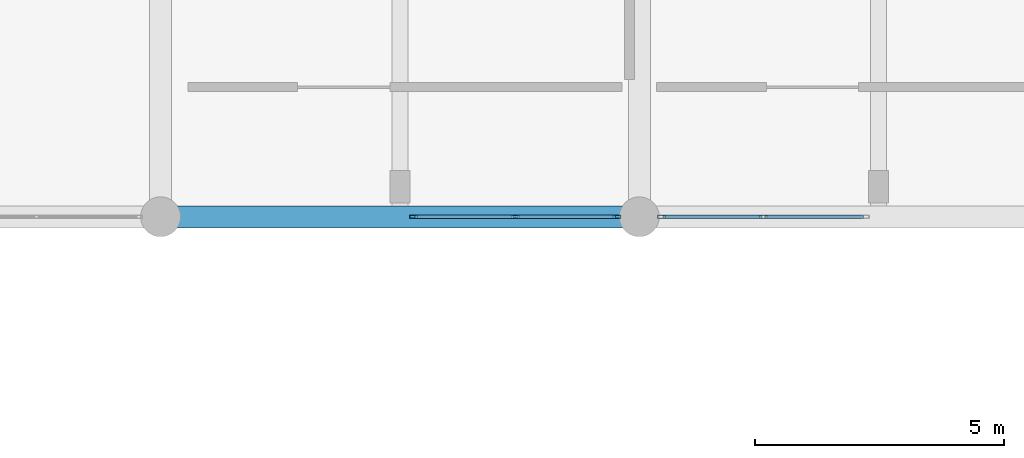
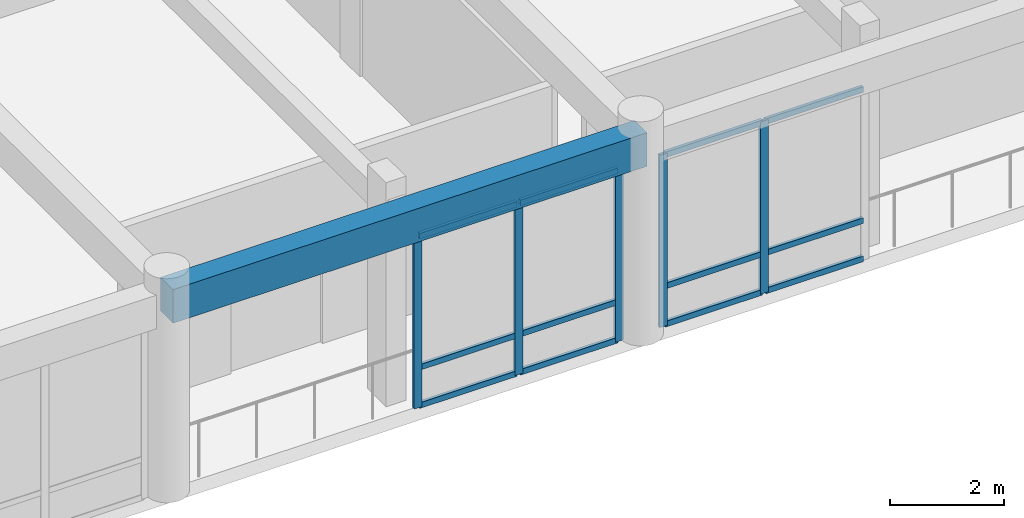
# One storey, part 39 of 133: 17 members, 1 beam, 2 elements without a shape of their own.
"""IFC4 building model written with IfcOpenShell, lengths in metres."""

from ifc_helpers import new_model, si_unit, direction, frame, origin, origin_2d, place, context, subcontext, project, spatial, rectangle, hollow_rectangle, extrude, material, layer, layer_set, material_profile, profile_set, type_object, element, aggregate, save


model = new_model("IFC4")

# Units and contexts
model_context = context("Model", 3, precision=1e-05, world=origin(), true_north=direction((0.0, 1.0)))
body_context = subcontext(model_context, "Body", "Model", "MODEL_VIEW")
ifc_project = project(units=[si_unit("LENGTHUNIT", "METRE"), si_unit("AREAUNIT", "SQUARE_METRE"), si_unit("VOLUMEUNIT", "CUBIC_METRE"), si_unit("PLANEANGLEUNIT", "RADIAN"), si_unit("MASSUNIT", "GRAM", prefix="KILO")], contexts=[model_context])

# Site, building, storey
site_placement = place(None, origin())
site = spatial("IfcSite", under=ifc_project, at=site_placement, CompositionType="ELEMENT")
building_placement = place(site_placement, origin())
building = spatial("IfcBuilding", under=site, at=building_placement, Name="Nakhvara Creek Congress Hotel", CompositionType="ELEMENT")
storey_placement = place(building_placement, frame((0.0, 0.0, 11.39990234375)))
storey = spatial("IfcBuildingStorey", under=building, at=storey_placement, Name="L02", CompositionType="ELEMENT", Elevation=11.39990234375)

# Beam
ifc_material_1 = material(Name="Concrete C40/50", Category="concrete")
ifc_material_profile_1 = material_profile(ifc_material_1, rectangle(XDim=0.43994140625, YDim=0.719970703125, at=origin_2d()), Name="RC-BM 440x720", Category="LoadBearing")
ifc_profile_set_1 = profile_set([ifc_material_profile_1], Name="Concrete C40/50")
beam_type = type_object("IfcBeamType", Name="BM-RC-440X720", PredefinedType="BEAM", material=ifc_profile_set_1)
beam_placement = place(storey_placement, frame((96.0, 76.800048828125, 4.06005859375), z_axis=(1.0, 0.0, 0.0), x_axis=(0.0, 1.0, 0.0)))
element("IfcBeam", 1, at=beam_placement, inside=storey, type_object=beam_type, Name="Beam B12-L02-1488", PredefinedType="BEAM", context=body_context, shape_type="SweptSolid", body=[
    extrude(rectangle(XDim=0.43994140625, YDim=0.719970703125, at=origin_2d()), origin(), (0.0, 0.0, 1.0), 9.60009765625),
])

# Curtain wall, members
ifc_material_2 = material(Name="Bronze-anodised aluminium AW-6063-T6 and double-silver low-E glass", Category="aluminium")
ifc_layer = layer(ifc_material_2, 0.199951171875)
ifc_layer_set = layer_set([ifc_layer], Name="Bronze-anodised aluminium AW-6063-T6 and double-silver low-E glass")
curtain_wall_type = type_object("IfcCurtainWallType", Name="CW-POD-STICK", PredefinedType="NOTDEFINED", material=ifc_layer_set)
curtain_wall_1_placement = place(storey_placement, origin())
curtain_wall_1 = element("IfcCurtainWall", 2, at=curtain_wall_1_placement, inside=storey, type_object=curtain_wall_type, Name="Curtain Wall CW038", PredefinedType="NOTDEFINED")
ifc_material_3 = material(Name="Bronze-anodised aluminium AW-6063-T6", Category="aluminium")
ifc_material_profile_2 = material_profile(ifc_material_3, hollow_rectangle(XDim=0.06494140625, YDim=0.159912109375, WallThickness=0.00390625, at=origin_2d()), Name="ALU-MULL 65x160x4", Category="LoadBearing")
ifc_profile_set_2 = profile_set([ifc_material_profile_2], Name="Bronze-anodised aluminium AW-6063-T6")
member_type_1 = type_object("IfcMemberType", Name="CW-MULL-160", PredefinedType="MULLION", material=ifc_profile_set_2)
member_1_placement = place(storey_placement, frame((105.152587890625, 76.800048828125, 0.0), z_axis=(0.0, 0.0, 1.0), x_axis=(0.0, -1.0, 0.0)))
member_1 = element("IfcMember", 3, at=member_1_placement, type_object=member_type_1, Name="CW038 mullion 1", PredefinedType="MULLION", context=body_context, shape_type="SweptSolid", body=[
    extrude(hollow_rectangle(XDim=0.06494140625, YDim=0.159912109375, WallThickness=0.00390625, at=origin_2d()), origin(), (0.0, 0.0, 1.0), 3.692138671875),
])
member_2_placement = place(storey_placement, frame((103.112548828125, 76.800048828125, 0.0), z_axis=(0.0, 0.0, 1.0), x_axis=(0.0, -1.0, 0.0)))
member_2 = element("IfcMember", 4, at=member_2_placement, type_object=member_type_1, Name="CW038 mullion 2", PredefinedType="MULLION", context=body_context, shape_type="SweptSolid", body=[
    extrude(hollow_rectangle(XDim=0.06494140625, YDim=0.159912109375, WallThickness=0.00390625, at=origin_2d()), origin(), (0.0, 0.0, 1.0), 3.692138671875),
])
member_3_placement = place(storey_placement, frame((101.072509765625, 76.800048828125, 0.0), z_axis=(0.0, 0.0, 1.0), x_axis=(0.0, -1.0, 0.0)))
member_3 = element("IfcMember", 5, at=member_3_placement, type_object=member_type_1, Name="CW038 mullion 3", PredefinedType="MULLION", context=body_context, shape_type="SweptSolid", body=[
    extrude(hollow_rectangle(XDim=0.06494140625, YDim=0.159912109375, WallThickness=0.00390625, at=origin_2d()), origin(), (0.0, 0.0, 1.0), 3.692138671875),
])

curtain_wall_2_placement = place(storey_placement, origin())
curtain_wall_2 = element("IfcCurtainWall", 6, at=curtain_wall_2_placement, inside=storey, type_object=curtain_wall_type, Name="Curtain Wall CW040", PredefinedType="NOTDEFINED")
member_4_placement = place(storey_placement, frame((108.08740234375, 76.800048828125, 0.0), z_axis=(0.0, 0.0, 1.0), x_axis=(0.0, -1.0, 0.0)))
member_4 = element("IfcMember", 7, at=member_4_placement, type_object=member_type_1, Name="CW040 mullion 2", PredefinedType="MULLION", context=body_context, shape_type="SweptSolid", body=[
    extrude(hollow_rectangle(XDim=0.06494140625, YDim=0.159912109375, WallThickness=0.00390625, at=origin_2d()), origin(), (0.0, 0.0, 1.0), 3.692138671875),
])
member_5_placement = place(storey_placement, frame((106.047607421875, 76.800048828125, 0.0), z_axis=(0.0, 0.0, 1.0), x_axis=(0.0, -1.0, 0.0)))
member_5 = element("IfcMember", 8, at=member_5_placement, type_object=member_type_1, Name="CW040 mullion 3", PredefinedType="MULLION", context=body_context, shape_type="SweptSolid", body=[
    extrude(hollow_rectangle(XDim=0.06494140625, YDim=0.159912109375, WallThickness=0.00390625, at=origin_2d()), origin(), (0.0, 0.0, 1.0), 3.692138671875),
])

# Member
ifc_material_profile_3 = material_profile(ifc_material_3, hollow_rectangle(XDim=0.06494140625, YDim=0.1201171875, WallThickness=0.00390625, at=origin_2d()), Name="ALU-TRAN 65x120x4", Category="LoadBearing")
ifc_profile_set_3 = profile_set([ifc_material_profile_3], Name="Bronze-anodised aluminium AW-6063-T6")
member_type_2 = type_object("IfcMemberType", Name="CW-TRAN-120", PredefinedType="USERDEFINED", material=ifc_profile_set_3)
member_6_placement = place(storey_placement, frame((105.1201171875, 76.800048828125, 0.03271484375), z_axis=(-1.0, 0.0, 0.0), x_axis=(0.0, -1.0, 0.0)))
member_6 = element("IfcMember", 9, at=member_6_placement, type_object=member_type_2, Name="CW038 transom 1.1", ObjectType="TRANSOM", PredefinedType="USERDEFINED", context=body_context, shape_type="SweptSolid", body=[
    extrude(hollow_rectangle(XDim=0.06494140625, YDim=0.1201171875, WallThickness=0.00390625, at=origin_2d()), origin(), (0.0, 0.0, 1.0), 1.97509765625),
])

member_7_placement = place(storey_placement, frame((105.1201171875, 76.800048828125, 0.85009765625), z_axis=(-1.0, 0.0, 0.0), x_axis=(0.0, -1.0, 0.0)))
member_7 = element("IfcMember", 10, at=member_7_placement, type_object=member_type_2, Name="CW038 transom 1.2", ObjectType="TRANSOM", PredefinedType="USERDEFINED", context=body_context, shape_type="SweptSolid", body=[
    extrude(hollow_rectangle(XDim=0.06494140625, YDim=0.1201171875, WallThickness=0.00390625, at=origin_2d()), origin(), (0.0, 0.0, 1.0), 1.97509765625),
])

member_8_placement = place(storey_placement, frame((105.1201171875, 76.800048828125, 3.65966796875), z_axis=(-1.0, 0.0, 0.0), x_axis=(0.0, -1.0, 0.0)))
member_8 = element("IfcMember", 11, at=member_8_placement, type_object=member_type_2, Name="CW038 transom 1.3", ObjectType="TRANSOM", PredefinedType="USERDEFINED", context=body_context, shape_type="SweptSolid", body=[
    extrude(hollow_rectangle(XDim=0.06494140625, YDim=0.1201171875, WallThickness=0.00390625, at=origin_2d()), origin(), (0.0, 0.0, 1.0), 1.97509765625),
])

member_9_placement = place(storey_placement, frame((103.080078125, 76.800048828125, 0.03271484375), z_axis=(-1.0, 0.0, 0.0), x_axis=(0.0, -1.0, 0.0)))
member_9 = element("IfcMember", 12, at=member_9_placement, type_object=member_type_2, Name="CW038 transom 2.1", ObjectType="TRANSOM", PredefinedType="USERDEFINED", context=body_context, shape_type="SweptSolid", body=[
    extrude(hollow_rectangle(XDim=0.06494140625, YDim=0.1201171875, WallThickness=0.00390625, at=origin_2d()), origin(), (0.0, 0.0, 1.0), 1.97509765625),
])

member_10_placement = place(storey_placement, frame((103.080078125, 76.800048828125, 0.85009765625), z_axis=(-1.0, 0.0, 0.0), x_axis=(0.0, -1.0, 0.0)))
member_10 = element("IfcMember", 13, at=member_10_placement, type_object=member_type_2, Name="CW038 transom 2.2", ObjectType="TRANSOM", PredefinedType="USERDEFINED", context=body_context, shape_type="SweptSolid", body=[
    extrude(hollow_rectangle(XDim=0.06494140625, YDim=0.1201171875, WallThickness=0.00390625, at=origin_2d()), origin(), (0.0, 0.0, 1.0), 1.97509765625),
])

member_11_placement = place(storey_placement, frame((103.080078125, 76.800048828125, 3.65966796875), z_axis=(-1.0, 0.0, 0.0), x_axis=(0.0, -1.0, 0.0)))
member_11 = element("IfcMember", 14, at=member_11_placement, type_object=member_type_2, Name="CW038 transom 2.3", ObjectType="TRANSOM", PredefinedType="USERDEFINED", context=body_context, shape_type="SweptSolid", body=[
    extrude(hollow_rectangle(XDim=0.06494140625, YDim=0.1201171875, WallThickness=0.00390625, at=origin_2d()), origin(), (0.0, 0.0, 1.0), 1.97509765625),
])

aggregate(curtain_wall_1, [member_1, member_2, member_3, member_6, member_7, member_8, member_9, member_10, member_11])

member_12_placement = place(storey_placement, frame((110.094970703125, 76.800048828125, 0.03271484375), z_axis=(-1.0, 0.0, 0.0), x_axis=(0.0, -1.0, 0.0)))
member_12 = element("IfcMember", 15, at=member_12_placement, type_object=member_type_2, Name="CW040 transom 1.1", ObjectType="TRANSOM", PredefinedType="USERDEFINED", context=body_context, shape_type="SweptSolid", body=[
    extrude(hollow_rectangle(XDim=0.06494140625, YDim=0.1201171875, WallThickness=0.00390625, at=origin_2d()), origin(), (0.0, 0.0, 1.0), 1.974853515625),
])

member_13_placement = place(storey_placement, frame((110.094970703125, 76.800048828125, 0.85009765625), z_axis=(-1.0, 0.0, 0.0), x_axis=(0.0, -1.0, 0.0)))
member_13 = element("IfcMember", 16, at=member_13_placement, type_object=member_type_2, Name="CW040 transom 1.2", ObjectType="TRANSOM", PredefinedType="USERDEFINED", context=body_context, shape_type="SweptSolid", body=[
    extrude(hollow_rectangle(XDim=0.06494140625, YDim=0.1201171875, WallThickness=0.00390625, at=origin_2d()), origin(), (0.0, 0.0, 1.0), 1.974853515625),
])

member_14_placement = place(storey_placement, frame((110.094970703125, 76.800048828125, 3.65966796875), z_axis=(-1.0, 0.0, 0.0), x_axis=(0.0, -1.0, 0.0)))
member_14 = element("IfcMember", 17, at=member_14_placement, type_object=member_type_2, Name="CW040 transom 1.3", ObjectType="TRANSOM", PredefinedType="USERDEFINED", context=body_context, shape_type="SweptSolid", body=[
    extrude(hollow_rectangle(XDim=0.06494140625, YDim=0.1201171875, WallThickness=0.00390625, at=origin_2d()), origin(), (0.0, 0.0, 1.0), 1.974853515625),
])

member_15_placement = place(storey_placement, frame((108.054931640625, 76.800048828125, 0.03271484375), z_axis=(-1.0, 0.0, 0.0), x_axis=(0.0, -1.0, 0.0)))
member_15 = element("IfcMember", 18, at=member_15_placement, type_object=member_type_2, Name="CW040 transom 2.1", ObjectType="TRANSOM", PredefinedType="USERDEFINED", context=body_context, shape_type="SweptSolid", body=[
    extrude(hollow_rectangle(XDim=0.06494140625, YDim=0.1201171875, WallThickness=0.00390625, at=origin_2d()), origin(), (0.0, 0.0, 1.0), 1.974853515625),
])

member_16_placement = place(storey_placement, frame((108.054931640625, 76.800048828125, 0.85009765625), z_axis=(-1.0, 0.0, 0.0), x_axis=(0.0, -1.0, 0.0)))
member_16 = element("IfcMember", 19, at=member_16_placement, type_object=member_type_2, Name="CW040 transom 2.2", ObjectType="TRANSOM", PredefinedType="USERDEFINED", context=body_context, shape_type="SweptSolid", body=[
    extrude(hollow_rectangle(XDim=0.06494140625, YDim=0.1201171875, WallThickness=0.00390625, at=origin_2d()), origin(), (0.0, 0.0, 1.0), 1.974853515625),
])

member_17_placement = place(storey_placement, frame((108.054931640625, 76.800048828125, 3.65966796875), z_axis=(-1.0, 0.0, 0.0), x_axis=(0.0, -1.0, 0.0)))
member_17 = element("IfcMember", 20, at=member_17_placement, type_object=member_type_2, Name="CW040 transom 2.3", ObjectType="TRANSOM", PredefinedType="USERDEFINED", context=body_context, shape_type="SweptSolid", body=[
    extrude(hollow_rectangle(XDim=0.06494140625, YDim=0.1201171875, WallThickness=0.00390625, at=origin_2d()), origin(), (0.0, 0.0, 1.0), 1.974853515625),
])

aggregate(curtain_wall_2, [member_4, member_5, member_12, member_13, member_14, member_15, member_16, member_17])

save(model, "model.ifc")
